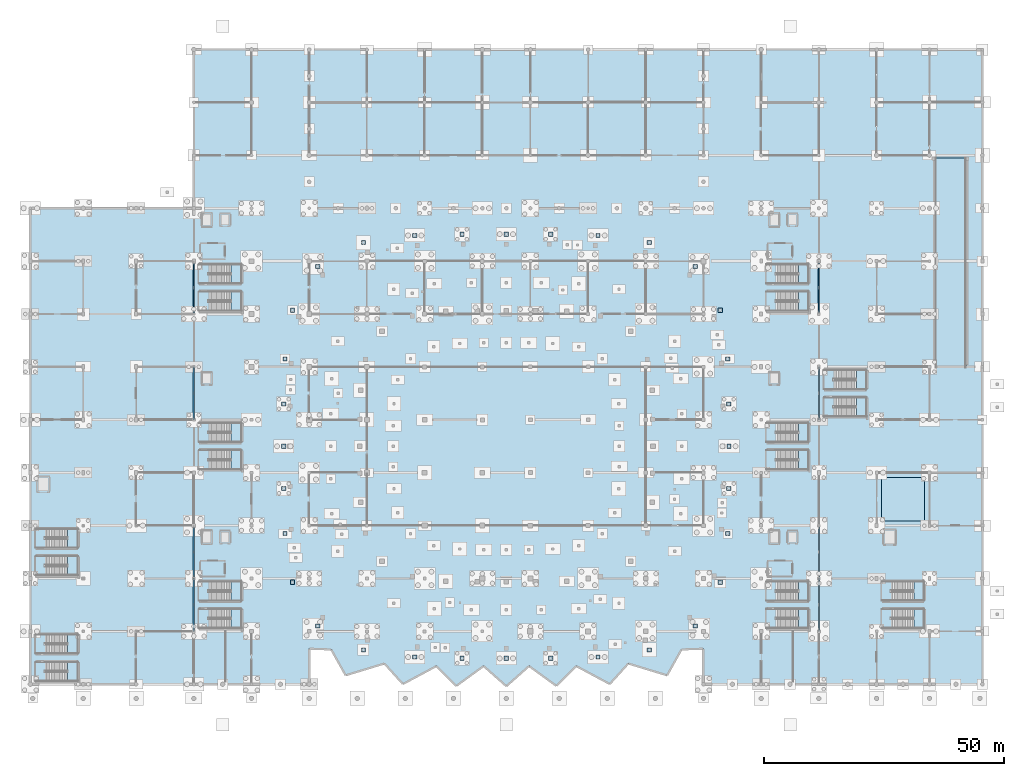
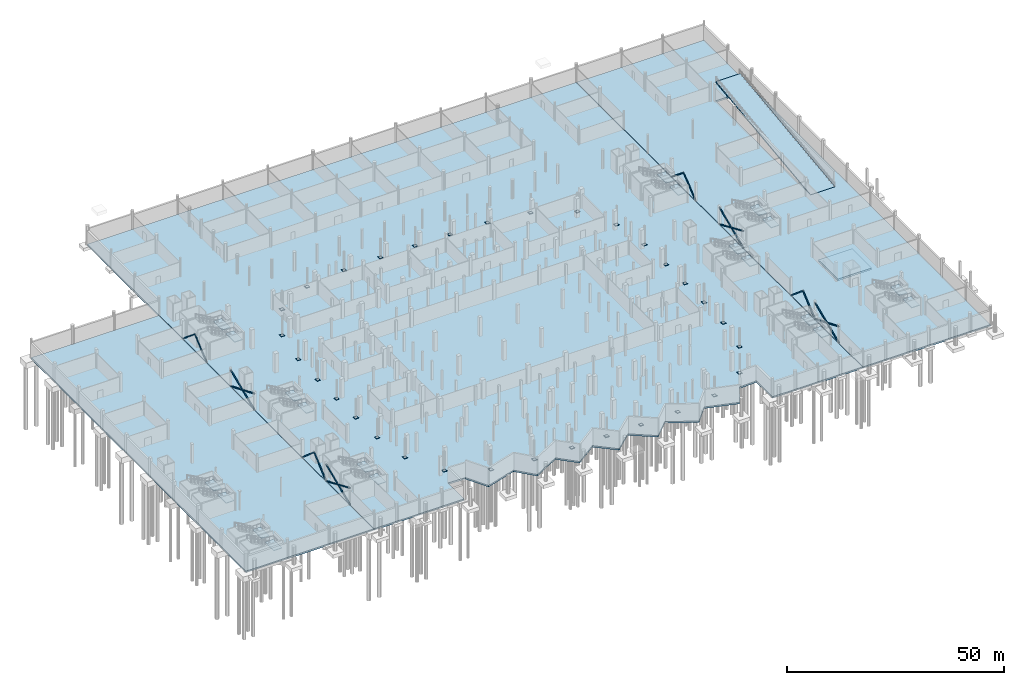
# One storey, part 24 of 60: 32 plates, 25 slabs, 20 members, 20 elements without a shape of their own.
"""IFC4 building model written with IfcOpenShell, lengths in metres."""

import ifcopenshell
import ifcopenshell.guid

model = None  # the IFC model being written
_history = None  # IfcOwnerHistory: only IFC2X3 demands one
_inside = {}  # id of a spatial element -> (the spatial element, [elements in it])
_under = {}  # id of a project, library or spatial element -> (it, [spatial elements below it])
_declared = {}  # id of a project -> (the project, [libraries it declares])
_typed = {}  # id of a type object -> (the type object, [elements of that type])
_made_of = {}  # id of a material, layer set ... -> (it, [elements and type objects made of it])


def new_model(schema):
    """Start an empty IFC model of exactly this schema.

    Asked for "IFC4X3", IfcOpenShell would pick the latest addendum, in which some entities
    have other attributes; the version numbers below select the first issue.
    IFC2X3 requires an IfcOwnerHistory on every rooted entity: one is made here for all.
    """
    global model, _history
    if schema == "IFC4X3":
        model = ifcopenshell.file(schema_version=(4, 3, 0, 0))
    else:
        model = ifcopenshell.file(schema=schema)
    _inside.clear()
    _under.clear()
    _declared.clear()
    _typed.clear()
    _made_of.clear()
    _history = None
    if model.schema == "IFC2X3":
        org = make("IfcOrganization", Name="unknown")
        user = make(
            "IfcPersonAndOrganization",
            ThePerson=make("IfcPerson", FamilyName="unknown"),
            TheOrganization=org,
        )
        app = make(
            "IfcApplication",
            ApplicationDeveloper=org,
            Version="unknown",
            ApplicationFullName="unknown",
            ApplicationIdentifier="unknown",
        )
        _history = make(
            "IfcOwnerHistory",
            OwningUser=user,
            OwningApplication=app,
            ChangeAction="ADDED",
            CreationDate=0,
        )
    return model


def make(cls, **values):
    """One entity of the class cls with the attributes given. An attribute that is None is left unset."""
    return model.create_entity(
        cls, **{name: value for name, value in values.items() if value is not None}
    )


def rooted(cls, **values):
    """An entity with a GlobalId (a new one), such as an element, a storey or a relation."""
    return make(cls, GlobalId=ifcopenshell.guid.new(), OwnerHistory=_history, **values)


def si_unit(unit_type, name, prefix=None):
    """IfcSIUnit, for example si_unit("LENGTHUNIT", "METRE", prefix="MILLI")."""
    return make("IfcSIUnit", UnitType=unit_type, Prefix=prefix, Name=name)


def assignment(units):
    """IfcUnitAssignment: the units of a project."""
    return None if units is None else make("IfcUnitAssignment", Units=units)


def point(xyz):
    """IfcCartesianPoint."""
    return None if xyz is None else make("IfcCartesianPoint", Coordinates=xyz)


def direction(xyz):
    """IfcDirection."""
    return None if xyz is None else make("IfcDirection", DirectionRatios=xyz)


def frame(location, z_axis=None, x_axis=None):
    """IfcAxis2Placement3D, a coordinate frame: its origin and axes. An axis left out is left unset."""
    return make(
        "IfcAxis2Placement3D",
        Location=point(location),
        Axis=direction(z_axis),
        RefDirection=direction(x_axis),
    )


def frame_2d(location, x_axis=None):
    """IfcAxis2Placement2D, a coordinate frame in the plane: its origin and x axis."""
    return make(
        "IfcAxis2Placement2D", Location=point(location), RefDirection=direction(x_axis)
    )


def origin():
    """The frame at (0, 0, 0) with its axes left unset."""
    return frame((0.0, 0.0, 0.0))


def origin_2d():
    """The frame at (0, 0) in the plane with its x axis left unset."""
    return frame_2d((0.0, 0.0))


def place(relative_to, where):
    """IfcLocalPlacement: puts the frame where relative to a parent placement (None: the world)."""
    return make(
        "IfcLocalPlacement", PlacementRelTo=relative_to, RelativePlacement=where
    )


def context(
    kind, dimensions, precision=None, world=None, true_north=None, identifier=None
):
    """IfcGeometricRepresentationContext, for example the 3D "Model" context."""
    return make(
        "IfcGeometricRepresentationContext",
        ContextIdentifier=identifier,
        ContextType=kind,
        CoordinateSpaceDimension=dimensions,
        Precision=precision,
        WorldCoordinateSystem=world,
        TrueNorth=true_north,
    )


def subcontext(parent, identifier, kind, view, scale=None):
    """IfcGeometricRepresentationSubContext, for example "Body" below "Model"."""
    return make(
        "IfcGeometricRepresentationSubContext",
        ContextIdentifier=identifier,
        ContextType=kind,
        ParentContext=parent,
        TargetScale=scale,
        TargetView=view,
    )


def project(units=None, contexts=None):
    """IfcProject with its units and contexts."""
    return rooted(
        "IfcProject",
        Name="project",
        RepresentationContexts=contexts,
        UnitsInContext=assignment(units),
    )


def spatial(cls, under=None, at=None, **own):
    """A site, building, storey or space (cls), placed at a placement, below another one or the project."""
    s = rooted(cls, ObjectPlacement=at, **own)
    if under is not None:
        _under.setdefault(under.id(), (under, []))[1].append(s)
    return s


def polyline(points):
    """IfcPolyline through the points."""
    return make("IfcPolyline", Points=[point(p) for p in points])


def profile(cls, at=None, kind="AREA", **sizes):
    """A parametric profile (cls). Its sizes go by their IFC names, for example OverallWidth=200.0."""
    return make(cls, ProfileType=kind, Position=at, **sizes)


def rectangle(**sizes):
    """IfcRectangleProfileDef."""
    return profile("IfcRectangleProfileDef", **sizes)


def hollow_rectangle(**sizes):
    """IfcRectangleHollowProfileDef."""
    return profile("IfcRectangleHollowProfileDef", **sizes)


def hollow_circle(**sizes):
    """IfcCircleHollowProfileDef."""
    return profile("IfcCircleHollowProfileDef", **sizes)


def outline(outer, holes=None, kind="AREA"):
    """IfcArbitraryClosedProfileDef: a profile drawn as a closed curve; with holes, ...WithVoids."""
    if holes is None:
        return make("IfcArbitraryClosedProfileDef", ProfileType=kind, OuterCurve=outer)
    return make(
        "IfcArbitraryProfileDefWithVoids",
        ProfileType=kind,
        OuterCurve=outer,
        InnerCurves=holes,
    )


def extrude(swept, where, along, depth):
    """IfcExtrudedAreaSolid: the profile swept, set in the frame where, extruded along a direction by depth."""
    return make(
        "IfcExtrudedAreaSolid",
        SweptArea=swept,
        Position=where,
        ExtrudedDirection=direction(along),
        Depth=depth,
    )


def shape(context_of_items, identifier, shape_type, items):
    """IfcShapeRepresentation: the items that make up one representation, for example the "Body"."""
    return make(
        "IfcShapeRepresentation",
        ContextOfItems=context_of_items,
        RepresentationIdentifier=identifier,
        RepresentationType=shape_type,
        Items=items,
    )


def material(Name=None, Category=None):
    """IfcMaterial."""
    return make("IfcMaterial", Name=Name, Category=Category)


def layer(
    of_material, thickness, ventilated=None, Name=None, Category=None, Priority=None
):
    """IfcMaterialLayer: one layer of a wall or slab, of a material (None: an air gap)."""
    return make(
        "IfcMaterialLayer",
        Material=of_material,
        LayerThickness=thickness,
        IsVentilated=ventilated,
        Name=Name,
        Category=Category,
        Priority=Priority,
    )


def layer_set(layers, Name=None):
    """IfcMaterialLayerSet."""
    return make("IfcMaterialLayerSet", MaterialLayers=layers, LayerSetName=Name)


def material_profile(
    of_material, cross_section, Name=None, Category=None, Priority=None
):
    """IfcMaterialProfile: a cross section and its material."""
    return make(
        "IfcMaterialProfile",
        Name=Name,
        Material=of_material,
        Profile=cross_section,
        Priority=Priority,
        Category=Category,
    )


def profile_set(profiles, Name=None, composite=None):
    """IfcMaterialProfileSet."""
    return make(
        "IfcMaterialProfileSet",
        Name=Name,
        MaterialProfiles=profiles,
        CompositeProfile=composite,
    )


def made_of(thing, what):
    """Note that an element or type object is made of a material, layer set ...; save() writes the relation."""
    if what is not None:
        _made_of.setdefault(what.id(), (what, []))[1].append(thing)
    return thing


def type_object(cls, material=None, **own):
    """A type object (cls), such as IfcWallType, which elements share."""
    return made_of(rooted(cls, **own), material)


def element(
    cls,
    number,
    at=None,
    inside=None,
    cuts=None,
    type_object=None,
    material=None,
    context=None,
    identifier="Body",
    shape_type=None,
    held_by="IfcProductDefinitionShape",
    body=None,
    shapes=None,
    **own,
):
    """One element of the class cls, such as IfcWall. Its Tag is "e" and its number.

    at: its placement. inside: the storey or other place that contains it. cuts: it is an
    opening in that element (IfcRelVoidsElement). A single representation is given by context,
    identifier, shape_type and body (its items); several are given by shapes. held_by: the class
    of the entity that holds the representations. save() writes the other relations.
    """
    e = rooted(cls, Tag="e%d" % number, ObjectPlacement=at, **own)
    if body is not None:
        shapes = [shape(context, identifier, shape_type, body)]
    if shapes is not None:
        e.Representation = make(held_by, Representations=shapes)
    if inside is not None:
        _inside.setdefault(inside.id(), (inside, []))[1].append(e)
    if cuts is not None:
        rooted(
            "IfcRelVoidsElement", RelatingBuildingElement=cuts, RelatedOpeningElement=e
        )
    if type_object is not None:
        _typed.setdefault(type_object.id(), (type_object, []))[1].append(e)
    return made_of(e, material)


def aggregate(whole, parts):
    """IfcRelAggregates: a whole, such as a stair, and the parts it consists of."""
    return rooted("IfcRelAggregates", RelatingObject=whole, RelatedObjects=parts)


def save(model, path):
    """Write the relations noted so far, then the file.

    IfcRelAggregates (storeys below a building ...), IfcRelContainedInSpatialStructure (elements
    in a storey), IfcRelDefinesByType, IfcRelAssociatesMaterial and IfcRelDeclares: one each for
    every whole, place, type object, material and project.
    """
    for whole, parts in _under.values():
        aggregate(whole, parts)
    for where, things in _inside.values():
        rooted(
            "IfcRelContainedInSpatialStructure",
            RelatedElements=things,
            RelatingStructure=where,
        )
    for kind, things in _typed.values():
        rooted("IfcRelDefinesByType", RelatedObjects=things, RelatingType=kind)
    for what, things in _made_of.values():
        rooted("IfcRelAssociatesMaterial", RelatedObjects=things, RelatingMaterial=what)
    for by, libraries in _declared.values():
        rooted("IfcRelDeclares", RelatingContext=by, RelatedDefinitions=libraries)
    model.write(path)


model = new_model("IFC4")

# Units and contexts
model_context = context("Model", 3, precision=1e-05, world=origin(), true_north=direction((0.0, 1.0)))
body_context = subcontext(model_context, "Body", "Model", "MODEL_VIEW")
ifc_project = project(units=[si_unit("LENGTHUNIT", "METRE"), si_unit("AREAUNIT", "SQUARE_METRE"), si_unit("VOLUMEUNIT", "CUBIC_METRE"), si_unit("PLANEANGLEUNIT", "RADIAN"), si_unit("MASSUNIT", "GRAM", prefix="KILO")], contexts=[model_context])

# Site, building, storey
site_placement = place(None, origin())
site = spatial("IfcSite", under=ifc_project, at=site_placement, CompositionType="ELEMENT")
building_placement = place(site_placement, origin())
building = spatial("IfcBuilding", under=site, at=building_placement, Name="Luwafu Chhajja Arena", CompositionType="ELEMENT")
storey_placement = place(building_placement, frame((0.0, 0.0, -5.39990234375)))
storey = spatial("IfcBuildingStorey", under=building, at=storey_placement, Name="B1", CompositionType="ELEMENT", Elevation=-5.39990234375)

# Members
ifc_material_1 = material(Name="Steel S355", Category="steel")
ifc_material_profile_1 = material_profile(ifc_material_1, hollow_circle(Radius=0.084228515625, WallThickness=0.008056640625, at=origin_2d()), Name="CHS 168.3x8")
ifc_profile_set_1 = profile_set([ifc_material_profile_1], Name="Steel S355")
member_type_1 = type_object("IfcMemberType", Name="Canopy Hanger Brace CHS 168", PredefinedType="BRACE", material=ifc_profile_set_1)
for number, where, z_axis, x_axis, name in (
    (1, (34.0, 77.0, 0.119873046875), (0.0, 0.768444909154, 0.639915948852), (-1.0, 0.0, 0.0), "B1 Lateral Chevron Brace 11A"),
    (2, (34.0, 88.0, 0.119873046875), (0.0, -0.768444909154, 0.639915948852), (1.0, 0.0, 0.0), "B1 Lateral Chevron Brace 11B"),
):
    element("IfcMember", number, at=place(storey_placement, frame(where, z_axis=z_axis, x_axis=x_axis)), inside=storey, type_object=member_type_1, Name=name, PredefinedType="BRACE", context=body_context, shape_type="SweptSolid", body=[
        extrude(hollow_circle(Radius=0.084228515625, WallThickness=0.008056640625, at=origin_2d()), origin(), (0.0, 0.0, 1.0), 7.1572265625),
    ])
for number, where, z_axis, x_axis, name in (
    (3, (164.0, 77.0, 0.119873046875), (0.0, 0.777058479873, 0.629428406459), (-1.0, 0.0, 0.0), "B1 Lateral Chevron Brace 15A"),
    (4, (164.0, 88.0, 0.119873046875), (0.0, -0.777058479873, 0.629428406459), (1.0, 0.0, 0.0), "B1 Lateral Chevron Brace 15B"),
):
    element("IfcMember", number, at=place(storey_placement, frame(where, z_axis=z_axis, x_axis=x_axis)), inside=storey, type_object=member_type_1, Name=name, PredefinedType="BRACE", context=body_context, shape_type="SweptSolid", body=[
        extrude(hollow_circle(Radius=0.084228515625, WallThickness=0.008056640625, at=origin_2d()), origin(), (0.0, 0.0, 1.0), 7.077880859375),
    ])
ifc_material_profile_2 = material_profile(ifc_material_1, hollow_rectangle(XDim=0.25, YDim=0.25, WallThickness=0.011962890625, at=origin_2d()), Name="SHS 250x250x12")
ifc_profile_set_2 = profile_set([ifc_material_profile_2], Name="Steel S355")
member_type_2 = type_object("IfcMemberType", Name="Core Frame Brace SHS 250", PredefinedType="BRACE", material=ifc_profile_set_2)
for number, where, z_axis, x_axis, name in (
    (5, (34.0, 22.0, 0.119873046875), (0.0, 0.758186527354, 0.652037721101), (-1.0, 0.0, 0.0), "B1 Lateral Chevron Brace 01A"),
    (6, (34.0, 33.0, 0.119873046875), (0.0, -0.758186527354, 0.652037721101), (1.0, 0.0, 0.0), "B1 Lateral Chevron Brace 01B"),
):
    element("IfcMember", number, at=place(storey_placement, frame(where, z_axis=z_axis, x_axis=x_axis)), inside=storey, type_object=member_type_2, Name=name, PredefinedType="BRACE", context=body_context, shape_type="SweptSolid", body=[
        extrude(hollow_rectangle(XDim=0.25, YDim=0.25, WallThickness=0.011962890625, at=origin_2d()), origin(), (0.0, 0.0, 1.0), 7.254150390625),
    ])
for number, where, z_axis, x_axis, name in (
    (7, (164.0, 22.0, 0.119873046875), (0.0, 0.765429027855, 0.643520320826), (-1.0, 0.0, 0.0), "B1 Lateral Chevron Brace 06A"),
    (8, (164.0, 33.0, 0.119873046875), (0.0, -0.765429027855, 0.643520320826), (1.0, 0.0, 0.0), "B1 Lateral Chevron Brace 06B"),
):
    element("IfcMember", number, at=place(storey_placement, frame(where, z_axis=z_axis, x_axis=x_axis)), inside=storey, type_object=member_type_2, Name=name, PredefinedType="BRACE", context=body_context, shape_type="SweptSolid", body=[
        extrude(hollow_rectangle(XDim=0.25, YDim=0.25, WallThickness=0.011962890625, at=origin_2d()), origin(), (0.0, 0.0, 1.0), 7.185546875),
    ])
member_1_placement = place(storey_placement, frame((34.0, 55.0, 0.119873046875), z_axis=(0.0, 0.924659821494, 0.380794189183), x_axis=(-1.0, 0.0, 0.0)))
element("IfcMember", 9, at=member_1_placement, inside=storey, type_object=member_type_2, Name="B1 X-Brace Continuous Diagonal 01A", PredefinedType="BRACE", context=body_context, shape_type="SweptSolid", body=[
    extrude(hollow_rectangle(XDim=0.25, YDim=0.25, WallThickness=0.011962890625, at=origin_2d()), origin(), (0.0, 0.0, 1.0), 11.896240234375),
])
for number, where, z_axis, x_axis, name in (
    (10, (34.0, 55.0, 4.64990234375), (0.0, 0.924665900066, -0.380779428614), (-1.0, 0.0, 0.0), "B1 X-Brace Split Upper Half 01B1"),
    (11, (34.0, 60.634033203125, 2.32958984375), (0.0, 0.924665900066, -0.380779428614), (-1.0, 0.0, 0.0), "B1 X-Brace Split Lower Half 01B2"),
):
    element("IfcMember", number, at=place(storey_placement, frame(where, z_axis=z_axis, x_axis=x_axis)), inside=storey, type_object=member_type_2, Name=name, PredefinedType="BRACE", context=body_context, shape_type="SweptSolid", body=[
        extrude(hollow_rectangle(XDim=0.25, YDim=0.25, WallThickness=0.011962890625, at=origin_2d()), origin(), (0.0, 0.0, 1.0), 5.80322265625),
    ])
member_2_placement = place(storey_placement, frame((164.0, 55.0, 0.119873046875), z_axis=(0.0, 0.918669779527, 0.395026374036), x_axis=(-1.0, 0.0, 0.0)))
element("IfcMember", 12, at=member_2_placement, inside=storey, type_object=member_type_2, Name="B1 X-Brace Continuous Diagonal 02A", PredefinedType="BRACE", context=body_context, shape_type="SweptSolid", body=[
    extrude(hollow_rectangle(XDim=0.25, YDim=0.25, WallThickness=0.011962890625, at=origin_2d()), origin(), (0.0, 0.0, 1.0), 11.973876953125),
])
for number, where, z_axis, x_axis, name in (
    (13, (164.0, 55.0, 4.849853515625), (0.0, 0.918673130781, -0.395018580299), (-1.0, 0.0, 0.0), "B1 X-Brace Split Upper Half 02B1"),
    (14, (164.0, 60.63330078125, 2.427490234375), (0.0, 0.918673130781, -0.395018580299), (-1.0, 0.0, 0.0), "B1 X-Brace Split Lower Half 02B2"),
):
    element("IfcMember", number, at=place(storey_placement, frame(where, z_axis=z_axis, x_axis=x_axis)), inside=storey, type_object=member_type_2, Name=name, PredefinedType="BRACE", context=body_context, shape_type="SweptSolid", body=[
        extrude(hollow_rectangle(XDim=0.25, YDim=0.25, WallThickness=0.011962890625, at=origin_2d()), origin(), (0.0, 0.0, 1.0), 5.841796875),
    ])
member_3_placement = place(storey_placement, frame((34.0, 11.0, 0.119873046875), z_axis=(0.0, 0.920182344212, 0.391490042529), x_axis=(-1.0, 0.0, 0.0)))
element("IfcMember", 15, at=member_3_placement, inside=storey, type_object=member_type_2, Name="B1 X-Brace Continuous Diagonal 03A", PredefinedType="BRACE", context=body_context, shape_type="SweptSolid", body=[
    extrude(hollow_rectangle(XDim=0.25, YDim=0.25, WallThickness=0.011962890625, at=origin_2d()), origin(), (0.0, 0.0, 1.0), 11.9541015625),
])
for number, where, z_axis, x_axis, name in (
    (16, (34.0, 11.0, 4.7998046875), (0.0, 0.92018543878, -0.391482768787), (-1.0, 0.0, 0.0), "B1 X-Brace Split Upper Half 03B1"),
    (17, (34.0, 16.63330078125, 2.403076171875), (0.0, 0.92018543878, -0.391482768787), (-1.0, 0.0, 0.0), "B1 X-Brace Split Lower Half 03B2"),
):
    element("IfcMember", number, at=place(storey_placement, frame(where, z_axis=z_axis, x_axis=x_axis)), inside=storey, type_object=member_type_2, Name=name, PredefinedType="BRACE", context=body_context, shape_type="SweptSolid", body=[
        extrude(hollow_rectangle(XDim=0.25, YDim=0.25, WallThickness=0.011962890625, at=origin_2d()), origin(), (0.0, 0.0, 1.0), 5.832275390625),
    ])
member_4_placement = place(storey_placement, frame((164.0, 11.0, 0.119873046875), z_axis=(0.0, 0.921985904563, 0.387223439099), x_axis=(-1.0, 0.0, 0.0)))
element("IfcMember", 18, at=member_4_placement, inside=storey, type_object=member_type_2, Name="B1 X-Brace Continuous Diagonal 04A", PredefinedType="BRACE", context=body_context, shape_type="SweptSolid", body=[
    extrude(hollow_rectangle(XDim=0.25, YDim=0.25, WallThickness=0.011962890625, at=origin_2d()), origin(), (0.0, 0.0, 1.0), 11.9306640625),
])
for number, where, z_axis, x_axis, name in (
    (19, (164.0, 11.0, 4.73974609375), (0.0, 0.921976115229, -0.387246746851), (-1.0, 0.0, 0.0), "B1 X-Brace Split Upper Half 04B1"),
    (20, (164.0, 16.6337890625, 2.373779296875), (0.0, 0.921976115229, -0.387246746851), (-1.0, 0.0, 0.0), "B1 X-Brace Split Lower Half 04B2"),
):
    element("IfcMember", number, at=place(storey_placement, frame(where, z_axis=z_axis, x_axis=x_axis)), inside=storey, type_object=member_type_2, Name=name, PredefinedType="BRACE", context=body_context, shape_type="SweptSolid", body=[
        extrude(hollow_rectangle(XDim=0.25, YDim=0.25, WallThickness=0.011962890625, at=origin_2d()), origin(), (0.0, 0.0, 1.0), 5.8203125),
    ])

# Slabs
ifc_material_2 = material(Name="Concrete C35/45", Category="concrete")
ifc_layer_1 = layer(ifc_material_2, 0.449951171875, Name="Concrete C35/45")
ifc_layer_set_1 = layer_set([ifc_layer_1], Name="Concrete C35/45")
slab_type_1 = type_object("IfcSlabType", Name="Basement Event Base Slab 450", PredefinedType="BASESLAB", material=ifc_layer_set_1)
slab_1_placement = place(storey_placement, frame((0.0, 0.0, -0.4501953125)))
element("IfcSlab", 21, at=slab_1_placement, inside=storey, type_object=slab_type_1, Name="B1 Structural Floor Slab 1", PredefinedType="BASESLAB", context=body_context, shape_type="SweptSolid", body=[
    extrude(outline(polyline([(120.510986328125, 0.051025390625), (113.56689453125, 3.77587890625), (109.412109375, -0.343017578125), (103.72802734375, 3.7900390625), (99.0, -0.39990234375), (94.27197265625, 3.7900390625), (88.587890625, -0.343017578125), (84.43310546875, 3.77587890625), (77.489013671875, 0.051025390625), (73.635986328125, 4.31591796875), (65.572998046875, 1.864013671875), (62.573974609375, 7.237060546875), (58.0, 7.407958984375), (58.0, 0.0), (34.050048828125, 0.0), (34.050048828125, 99.050048828125), (34.0, 99.050048828125), (34.0, 132.0), (163.949951171875, 132.0), (163.949951171875, 0.0), (140.0, 0.0), (140.0, 7.407958984375), (135.426025390625, 7.237060546875), (132.427978515625, 1.864013671875), (124.364013671875, 4.31591796875), (120.510986328125, 0.051025390625)])), origin(), (0.0, 0.0, 1.0), 0.4501953125),
])
slab_2_placement = place(storey_placement, frame((0.0, 0.0, -0.4501953125)))
element("IfcSlab", 22, at=slab_2_placement, inside=storey, type_object=slab_type_1, Name="B1 Structural Floor Slab 2", PredefinedType="BASESLAB", context=body_context, shape_type="SweptSolid", body=[
    extrude(outline(polyline([(198.0, 0.0), (164.050048828125, 0.0), (164.050048828125, 132.0), (198.0, 132.0), (198.0, 0.0)]), holes=[polyline([(194.659912109375, 109.4599609375), (188.139892578125, 109.4599609375), (188.139892578125, 65.840087890625), (194.659912109375, 65.840087890625), (194.659912109375, 109.4599609375)])]), origin(), (0.0, 0.0, 1.0), 0.4501953125),
])
slab_3_placement = place(storey_placement, frame((0.0, 0.0, -0.4501953125)))
element("IfcSlab", 23, at=slab_3_placement, inside=storey, type_object=slab_type_1, Name="B1 Structural Floor Slab 3", PredefinedType="BASESLAB", context=body_context, shape_type="SweptSolid", body=[
    extrude(outline(polyline([(0.0, 99.0), (33.949951171875, 99.0), (33.949951171875, 0.0), (0.0, 0.0), (0.0, 99.0)])), origin(), (0.0, 0.0, 1.0), 0.4501953125),
])

# Plates
ifc_layer_2 = layer(ifc_material_1, 0.035888671875, Name="Steel S355")
ifc_layer_set_2 = layer_set([ifc_layer_2], Name="Steel S355")
plate_type = type_object("IfcPlateType", Name="Drum Steel Column Base Plate BP-1", PredefinedType="USERDEFINED", material=ifc_layer_set_2)
for number, where, z_axis, x_axis, name in (
    (24, (145.300048828125, 49.5, 0.0), (0.0, 0.0, 1.0), (1.0, 0.0, 0.0), "Drum Column Base Plate BP-1 01"),
    (25, (145.28759765625, 58.269775390625, 0.0), (0.0, 0.0, 1.0), (1.0, 0.0, 0.0), "Drum Column Base Plate BP-1 02"),
    (26, (145.031982421875, 67.6611328125, 0.0), (0.0, 0.0, 1.0), (1.0, 0.0, 0.0), "Drum Column Base Plate BP-1 03"),
    (27, (143.47607421875, 77.805908203125, 0.0), (0.0, 0.0, 1.0), (1.0, 0.0, 0.0), "Drum Column Base Plate BP-1 04"),
    (28, (138.256103515625, 86.890869140625, 0.0), (0.0, 0.0, 1.0), (1.0, 0.0, 0.0), "Drum Column Base Plate BP-1 05"),
    (29, (128.718017578125, 91.86279296875, 0.0), (0.0, 0.0, 1.0), (1.0, 0.0, 0.0), "Drum Column Base Plate BP-1 06"),
    (30, (118.067138671875, 93.3447265625, 0.0), (0.0, 0.0, 1.0), (1.0, 0.0, 0.0), "Drum Column Base Plate BP-1 07"),
    (31, (108.207275390625, 93.588134765625, 0.0), (0.0, 0.0, 1.0), (1.0, 0.0, 0.0), "Drum Column Base Plate BP-1 08"),
    (32, (99.0, 93.60009765625, 0.0), (0.0, 0.0, 1.0), (1.0, 0.0, 0.0), "Drum Column Base Plate BP-1 09"),
    (33, (89.792724609375, 93.588134765625, 0.0), (0.0, 0.0, 1.0), (1.0, 0.0, 0.0), "Drum Column Base Plate BP-1 10"),
    (34, (79.932861328125, 93.3447265625, 0.0), (0.0, 0.0, 1.0), (1.0, 0.0, 0.0), "Drum Column Base Plate BP-1 11"),
    (35, (69.281982421875, 91.86279296875, 0.0), (0.0, 0.0, 1.0), (1.0, 0.0, 0.0), "Drum Column Base Plate BP-1 12"),
    (36, (59.743896484375, 86.890869140625, 0.0), (0.0, 0.0, 1.0), (1.0, 0.0, 0.0), "Drum Column Base Plate BP-1 13"),
    (37, (54.52392578125, 77.805908203125, 0.0), (0.0, 0.0, 1.0), (1.0, 0.0, 0.0), "Drum Column Base Plate BP-1 14"),
    (38, (52.968017578125, 67.6611328125, 0.0), (0.0, 0.0, 1.0), (1.0, 0.0, 0.0), "Drum Column Base Plate BP-1 15"),
    (39, (52.71240234375, 58.269775390625, 0.0), (0.0, 0.0, 1.0), (1.0, 0.0, 0.0), "Drum Column Base Plate BP-1 16"),
    (40, (52.699951171875, 49.5, 0.0), (0.0, 0.0, 1.0), (1.0, 0.0, 0.0), "Drum Column Base Plate BP-1 17"),
    (41, (52.71240234375, 40.730224609375, 0.0), (0.0, 0.0, 1.0), (1.0, 0.0, 0.0), "Drum Column Base Plate BP-1 18"),
    (42, (52.968017578125, 31.3388671875, 0.0), (0.0, 0.0, 1.0), (1.0, 0.0, 0.0), "Drum Column Base Plate BP-1 19"),
    (43, (54.52392578125, 21.194091796875, 0.0), (0.0, 0.0, 1.0), (1.0, 0.0, 0.0), "Drum Column Base Plate BP-1 20"),
    (44, (59.743896484375, 12.109130859375, 0.0), (0.0, 0.0, 1.0), (1.0, 0.0, 0.0), "Drum Column Base Plate BP-1 21"),
    (45, (69.281982421875, 7.13720703125, 0.0), (0.0, 0.0, 1.0), (1.0, 0.0, 0.0), "Drum Column Base Plate BP-1 22"),
    (46, (79.932861328125, 5.6552734375, 0.0), (0.0, 0.0, 1.0), (1.0, 0.0, 0.0), "Drum Column Base Plate BP-1 23"),
    (47, (89.792724609375, 5.411865234375, 0.0), (0.0, 0.0, 1.0), (1.0, 0.0, 0.0), "Drum Column Base Plate BP-1 24"),
    (48, (99.0, 5.39990234375, 0.0), (0.0, 0.0, 1.0), (1.0, 0.0, 0.0), "Drum Column Base Plate BP-1 25"),
    (49, (108.207275390625, 5.411865234375, 0.0), (0.0, 0.0, 1.0), (1.0, 0.0, 0.0), "Drum Column Base Plate BP-1 26"),
    (50, (118.067138671875, 5.6552734375, 0.0), (0.0, 0.0, 1.0), (1.0, 0.0, 0.0), "Drum Column Base Plate BP-1 27"),
    (51, (128.718017578125, 7.13720703125, 0.0), (0.0, 0.0, 1.0), (1.0, 0.0, 0.0), "Drum Column Base Plate BP-1 28"),
    (52, (138.256103515625, 12.109130859375, 0.0), (0.0, 0.0, 1.0), (1.0, 0.0, 0.0), "Drum Column Base Plate BP-1 29"),
    (53, (143.47607421875, 21.194091796875, 0.0), (0.0, 0.0, 1.0), (1.0, 0.0, 0.0), "Drum Column Base Plate BP-1 30"),
    (54, (145.031982421875, 31.3388671875, 0.0), (0.0, 0.0, 1.0), (1.0, 0.0, 0.0), "Drum Column Base Plate BP-1 31"),
    (55, (145.28759765625, 40.730224609375, 0.0), (0.0, 0.0, 1.0), (1.0, 0.0, 0.0), "Drum Column Base Plate BP-1 32"),
):
    element("IfcPlate", number, at=place(storey_placement, frame(where, z_axis=z_axis, x_axis=x_axis)), inside=storey, type_object=plate_type, Name=name, ObjectType="BASE PLATE", PredefinedType="USERDEFINED", context=body_context, shape_type="SweptSolid", body=[
        extrude(rectangle(XDim=0.89990234375, YDim=0.89990234375, at=origin_2d()), origin(), (0.0, 0.0, 1.0), 0.035888671875),
    ])

# Stair, slab
stair_type_1 = type_object("IfcStairType", Name="Quadrant Protected Dog-Leg Stair 1920", PredefinedType="HALF_TURN_STAIR", material=ifc_material_2)
stair_1_placement = place(storey_placement, origin())
stair_1 = element("IfcStair", 56, at=stair_1_placement, inside=storey, type_object=stair_type_1, Name="B1 Protected Escape Stair ST-01", PredefinedType="HALF_TURN_STAIR")
ifc_layer_3 = layer(ifc_material_2, 0.199951171875, Name="Concrete C35/45")
ifc_layer_set_3 = layer_set([ifc_layer_3], Name="Concrete C35/45")
slab_type_2 = type_object("IfcSlabType", Name="Escape Stair Landing Slab 200", PredefinedType="LANDING", material=ifc_layer_set_3)
slab_4_placement = place(storey_placement, frame((0.0, 0.0, 2.5)))
slab_4 = element("IfcSlab", 57, at=slab_4_placement, type_object=slab_type_2, Name="ST-01 landing 1", PredefinedType="LANDING", context=body_context, shape_type="SweptSolid", body=[
    extrude(outline(polyline([(41.780029296875, 11.64990234375), (43.89990234375, 11.64990234375), (43.89990234375, 15.68994140625), (41.780029296875, 15.68994140625), (41.780029296875, 11.64990234375)])), origin(), (0.0, 0.0, 1.0), 0.199951171875),
])
aggregate(stair_1, [slab_4])

stair_2_placement = place(storey_placement, origin())
stair_2 = element("IfcStair", 58, at=stair_2_placement, inside=storey, type_object=stair_type_1, Name="B1 Protected Escape Stair ST-02", PredefinedType="HALF_TURN_STAIR")
slab_5_placement = place(storey_placement, frame((0.0, 0.0, 2.5)))
slab_5 = element("IfcSlab", 59, at=slab_5_placement, type_object=slab_type_2, Name="ST-02 landing 1", PredefinedType="LANDING", context=body_context, shape_type="SweptSolid", body=[
    extrude(outline(polyline([(41.780029296875, 17.31005859375), (43.89990234375, 17.31005859375), (43.89990234375, 21.35009765625), (41.780029296875, 21.35009765625), (41.780029296875, 17.31005859375)])), origin(), (0.0, 0.0, 1.0), 0.199951171875),
])
aggregate(stair_2, [slab_5])

stair_3_placement = place(storey_placement, origin())
stair_3 = element("IfcStair", 60, at=stair_3_placement, inside=storey, type_object=stair_type_1, Name="B1 Protected Escape Stair ST-03", PredefinedType="HALF_TURN_STAIR")
slab_6_placement = place(storey_placement, frame((0.0, 0.0, 2.5)))
slab_6 = element("IfcSlab", 61, at=slab_6_placement, type_object=slab_type_2, Name="ST-03 landing 1", PredefinedType="LANDING", context=body_context, shape_type="SweptSolid", body=[
    extrude(outline(polyline([(159.780029296875, 11.64990234375), (161.89990234375, 11.64990234375), (161.89990234375, 15.68994140625), (159.780029296875, 15.68994140625), (159.780029296875, 11.64990234375)])), origin(), (0.0, 0.0, 1.0), 0.199951171875),
])
aggregate(stair_3, [slab_6])

stair_4_placement = place(storey_placement, origin())
stair_4 = element("IfcStair", 62, at=stair_4_placement, inside=storey, type_object=stair_type_1, Name="B1 Protected Escape Stair ST-04", PredefinedType="HALF_TURN_STAIR")
slab_7_placement = place(storey_placement, frame((0.0, 0.0, 2.5)))
slab_7 = element("IfcSlab", 63, at=slab_7_placement, type_object=slab_type_2, Name="ST-04 landing 1", PredefinedType="LANDING", context=body_context, shape_type="SweptSolid", body=[
    extrude(outline(polyline([(159.780029296875, 17.31005859375), (161.89990234375, 17.31005859375), (161.89990234375, 21.35009765625), (159.780029296875, 21.35009765625), (159.780029296875, 17.31005859375)])), origin(), (0.0, 0.0, 1.0), 0.199951171875),
])
aggregate(stair_4, [slab_7])

stair_5_placement = place(storey_placement, origin())
stair_5 = element("IfcStair", 64, at=stair_5_placement, inside=storey, type_object=stair_type_1, Name="B1 Protected Escape Stair ST-05", PredefinedType="HALF_TURN_STAIR")
slab_8_placement = place(storey_placement, frame((0.0, 0.0, 2.5)))
slab_8 = element("IfcSlab", 65, at=slab_8_placement, type_object=slab_type_2, Name="ST-05 landing 1", PredefinedType="LANDING", context=body_context, shape_type="SweptSolid", body=[
    extrude(outline(polyline([(41.780029296875, 77.64990234375), (43.89990234375, 77.64990234375), (43.89990234375, 81.68994140625), (41.780029296875, 81.68994140625), (41.780029296875, 77.64990234375)])), origin(), (0.0, 0.0, 1.0), 0.199951171875),
])
aggregate(stair_5, [slab_8])

stair_6_placement = place(storey_placement, origin())
stair_6 = element("IfcStair", 66, at=stair_6_placement, inside=storey, type_object=stair_type_1, Name="B1 Protected Escape Stair ST-06", PredefinedType="HALF_TURN_STAIR")
slab_9_placement = place(storey_placement, frame((0.0, 0.0, 2.5)))
slab_9 = element("IfcSlab", 67, at=slab_9_placement, type_object=slab_type_2, Name="ST-06 landing 1", PredefinedType="LANDING", context=body_context, shape_type="SweptSolid", body=[
    extrude(outline(polyline([(41.780029296875, 83.31005859375), (43.89990234375, 83.31005859375), (43.89990234375, 87.35009765625), (41.780029296875, 87.35009765625), (41.780029296875, 83.31005859375)])), origin(), (0.0, 0.0, 1.0), 0.199951171875),
])
aggregate(stair_6, [slab_9])

stair_7_placement = place(storey_placement, origin())
stair_7 = element("IfcStair", 68, at=stair_7_placement, inside=storey, type_object=stair_type_1, Name="B1 Protected Escape Stair ST-07", PredefinedType="HALF_TURN_STAIR")
slab_10_placement = place(storey_placement, frame((0.0, 0.0, 2.5)))
slab_10 = element("IfcSlab", 69, at=slab_10_placement, type_object=slab_type_2, Name="ST-07 landing 1", PredefinedType="LANDING", context=body_context, shape_type="SweptSolid", body=[
    extrude(outline(polyline([(159.780029296875, 77.64990234375), (161.89990234375, 77.64990234375), (161.89990234375, 81.68994140625), (159.780029296875, 81.68994140625), (159.780029296875, 77.64990234375)])), origin(), (0.0, 0.0, 1.0), 0.199951171875),
])
aggregate(stair_7, [slab_10])

stair_8_placement = place(storey_placement, origin())
stair_8 = element("IfcStair", 70, at=stair_8_placement, inside=storey, type_object=stair_type_1, Name="B1 Protected Escape Stair ST-08", PredefinedType="HALF_TURN_STAIR")
slab_11_placement = place(storey_placement, frame((0.0, 0.0, 2.5)))
slab_11 = element("IfcSlab", 71, at=slab_11_placement, type_object=slab_type_2, Name="ST-08 landing 1", PredefinedType="LANDING", context=body_context, shape_type="SweptSolid", body=[
    extrude(outline(polyline([(159.780029296875, 83.31005859375), (161.89990234375, 83.31005859375), (161.89990234375, 87.35009765625), (159.780029296875, 87.35009765625), (159.780029296875, 83.31005859375)])), origin(), (0.0, 0.0, 1.0), 0.199951171875),
])
aggregate(stair_8, [slab_11])

stair_9_placement = place(storey_placement, origin())
stair_9 = element("IfcStair", 72, at=stair_9_placement, inside=storey, type_object=stair_type_1, Name="B1 Protected Escape Stair ST-09", PredefinedType="HALF_TURN_STAIR")
slab_12_placement = place(storey_placement, frame((0.0, 0.0, 2.5)))
slab_12 = element("IfcSlab", 73, at=slab_12_placement, type_object=slab_type_2, Name="ST-09 landing 1", PredefinedType="LANDING", context=body_context, shape_type="SweptSolid", body=[
    extrude(outline(polyline([(41.780029296875, 44.64990234375), (43.89990234375, 44.64990234375), (43.89990234375, 48.68994140625), (41.780029296875, 48.68994140625), (41.780029296875, 44.64990234375)])), origin(), (0.0, 0.0, 1.0), 0.199951171875),
])
aggregate(stair_9, [slab_12])

stair_10_placement = place(storey_placement, origin())
stair_10 = element("IfcStair", 74, at=stair_10_placement, inside=storey, type_object=stair_type_1, Name="B1 Protected Escape Stair ST-10", PredefinedType="HALF_TURN_STAIR")
slab_13_placement = place(storey_placement, frame((0.0, 0.0, 2.5)))
slab_13 = element("IfcSlab", 75, at=slab_13_placement, type_object=slab_type_2, Name="ST-10 landing 1", PredefinedType="LANDING", context=body_context, shape_type="SweptSolid", body=[
    extrude(outline(polyline([(41.780029296875, 50.31005859375), (43.89990234375, 50.31005859375), (43.89990234375, 54.35009765625), (41.780029296875, 54.35009765625), (41.780029296875, 50.31005859375)])), origin(), (0.0, 0.0, 1.0), 0.199951171875),
])
aggregate(stair_10, [slab_13])

stair_11_placement = place(storey_placement, origin())
stair_11 = element("IfcStair", 76, at=stair_11_placement, inside=storey, type_object=stair_type_1, Name="B1 Protected Escape Stair ST-11", PredefinedType="HALF_TURN_STAIR")
slab_14_placement = place(storey_placement, frame((0.0, 0.0, 2.5)))
slab_14 = element("IfcSlab", 77, at=slab_14_placement, type_object=slab_type_2, Name="ST-11 landing 1", PredefinedType="LANDING", context=body_context, shape_type="SweptSolid", body=[
    extrude(outline(polyline([(159.780029296875, 44.64990234375), (161.89990234375, 44.64990234375), (161.89990234375, 48.68994140625), (159.780029296875, 48.68994140625), (159.780029296875, 44.64990234375)])), origin(), (0.0, 0.0, 1.0), 0.199951171875),
])
aggregate(stair_11, [slab_14])

stair_12_placement = place(storey_placement, origin())
stair_12 = element("IfcStair", 78, at=stair_12_placement, inside=storey, type_object=stair_type_1, Name="B1 Protected Escape Stair ST-12", PredefinedType="HALF_TURN_STAIR")
slab_15_placement = place(storey_placement, frame((0.0, 0.0, 2.5)))
slab_15 = element("IfcSlab", 79, at=slab_15_placement, type_object=slab_type_2, Name="ST-12 landing 1", PredefinedType="LANDING", context=body_context, shape_type="SweptSolid", body=[
    extrude(outline(polyline([(159.780029296875, 50.31005859375), (161.89990234375, 50.31005859375), (161.89990234375, 54.35009765625), (159.780029296875, 54.35009765625), (159.780029296875, 50.31005859375)])), origin(), (0.0, 0.0, 1.0), 0.199951171875),
])
aggregate(stair_12, [slab_15])

stair_type_2 = type_object("IfcStairType", Name="Wing Protected Dog-Leg Stair 1900", PredefinedType="HALF_TURN_STAIR", material=ifc_material_2)
stair_13_placement = place(storey_placement, origin())
stair_13 = element("IfcStair", 80, at=stair_13_placement, inside=storey, type_object=stair_type_2, Name="B1 Protected Escape Stair ST-13", PredefinedType="HALF_TURN_STAIR")
slab_16_placement = place(storey_placement, frame((0.0, 0.0, 2.5)))
slab_16 = element("IfcSlab", 81, at=slab_16_placement, type_object=slab_type_2, Name="ST-13 landing 1", PredefinedType="LANDING", context=body_context, shape_type="SweptSolid", body=[
    extrude(outline(polyline([(7.760009765625, 22.64990234375), (9.89990234375, 22.64990234375), (9.89990234375, 26.64990234375), (7.760009765625, 26.64990234375), (7.760009765625, 22.64990234375)])), origin(), (0.0, 0.0, 1.0), 0.199951171875),
])
aggregate(stair_13, [slab_16])

stair_14_placement = place(storey_placement, origin())
stair_14 = element("IfcStair", 82, at=stair_14_placement, inside=storey, type_object=stair_type_2, Name="B1 Protected Escape Stair ST-14", PredefinedType="HALF_TURN_STAIR")
slab_17_placement = place(storey_placement, frame((0.0, 0.0, 2.5)))
slab_17 = element("IfcSlab", 83, at=slab_17_placement, type_object=slab_type_2, Name="ST-14 landing 1", PredefinedType="LANDING", context=body_context, shape_type="SweptSolid", body=[
    extrude(outline(polyline([(7.760009765625, 28.35009765625), (9.89990234375, 28.35009765625), (9.89990234375, 32.35009765625), (7.760009765625, 32.35009765625), (7.760009765625, 28.35009765625)])), origin(), (0.0, 0.0, 1.0), 0.199951171875),
])
aggregate(stair_14, [slab_17])

stair_15_placement = place(storey_placement, origin())
stair_15 = element("IfcStair", 84, at=stair_15_placement, inside=storey, type_object=stair_type_2, Name="B1 Protected Escape Stair ST-15", PredefinedType="HALF_TURN_STAIR")
slab_18_placement = place(storey_placement, frame((0.0, 0.0, 2.5)))
slab_18 = element("IfcSlab", 85, at=slab_18_placement, type_object=slab_type_2, Name="ST-15 landing 1", PredefinedType="LANDING", context=body_context, shape_type="SweptSolid", body=[
    extrude(outline(polyline([(183.760009765625, 11.64990234375), (185.89990234375, 11.64990234375), (185.89990234375, 15.64990234375), (183.760009765625, 15.64990234375), (183.760009765625, 11.64990234375)])), origin(), (0.0, 0.0, 1.0), 0.199951171875),
])
aggregate(stair_15, [slab_18])

stair_16_placement = place(storey_placement, origin())
stair_16 = element("IfcStair", 86, at=stair_16_placement, inside=storey, type_object=stair_type_2, Name="B1 Protected Escape Stair ST-16", PredefinedType="HALF_TURN_STAIR")
slab_19_placement = place(storey_placement, frame((0.0, 0.0, 2.5)))
slab_19 = element("IfcSlab", 87, at=slab_19_placement, type_object=slab_type_2, Name="ST-16 landing 1", PredefinedType="LANDING", context=body_context, shape_type="SweptSolid", body=[
    extrude(outline(polyline([(183.760009765625, 17.35009765625), (185.89990234375, 17.35009765625), (185.89990234375, 21.35009765625), (183.760009765625, 21.35009765625), (183.760009765625, 17.35009765625)])), origin(), (0.0, 0.0, 1.0), 0.199951171875),
])
aggregate(stair_16, [slab_19])

stair_17_placement = place(storey_placement, origin())
stair_17 = element("IfcStair", 88, at=stair_17_placement, inside=storey, type_object=stair_type_2, Name="B1 Protected Escape Stair ST-17", PredefinedType="HALF_TURN_STAIR")
slab_20_placement = place(storey_placement, frame((0.0, 0.0, 2.5)))
slab_20 = element("IfcSlab", 89, at=slab_20_placement, type_object=slab_type_2, Name="ST-17 landing 1", PredefinedType="LANDING", context=body_context, shape_type="SweptSolid", body=[
    extrude(outline(polyline([(7.760009765625, 0.64990234375), (9.89990234375, 0.64990234375), (9.89990234375, 4.64990234375), (7.760009765625, 4.64990234375), (7.760009765625, 0.64990234375)])), origin(), (0.0, 0.0, 1.0), 0.199951171875),
])
aggregate(stair_17, [slab_20])

stair_18_placement = place(storey_placement, origin())
stair_18 = element("IfcStair", 90, at=stair_18_placement, inside=storey, type_object=stair_type_2, Name="B1 Protected Escape Stair ST-18", PredefinedType="HALF_TURN_STAIR")
slab_21_placement = place(storey_placement, frame((0.0, 0.0, 2.5)))
slab_21 = element("IfcSlab", 91, at=slab_21_placement, type_object=slab_type_2, Name="ST-18 landing 1", PredefinedType="LANDING", context=body_context, shape_type="SweptSolid", body=[
    extrude(outline(polyline([(7.760009765625, 6.35009765625), (9.89990234375, 6.35009765625), (9.89990234375, 10.35009765625), (7.760009765625, 10.35009765625), (7.760009765625, 6.35009765625)])), origin(), (0.0, 0.0, 1.0), 0.199951171875),
])
aggregate(stair_18, [slab_21])

stair_19_placement = place(storey_placement, origin())
stair_19 = element("IfcStair", 92, at=stair_19_placement, inside=storey, type_object=stair_type_1, Name="B1 Protected Escape Stair ST-19", PredefinedType="HALF_TURN_STAIR")
slab_22_placement = place(storey_placement, frame((0.0, 0.0, 2.5)))
slab_22 = element("IfcSlab", 93, at=slab_22_placement, type_object=slab_type_2, Name="ST-19 landing 1", PredefinedType="LANDING", context=body_context, shape_type="SweptSolid", body=[
    extrude(outline(polyline([(171.780029296875, 55.64990234375), (173.89990234375, 55.64990234375), (173.89990234375, 59.68994140625), (171.780029296875, 59.68994140625), (171.780029296875, 55.64990234375)])), origin(), (0.0, 0.0, 1.0), 0.199951171875),
])
aggregate(stair_19, [slab_22])

stair_20_placement = place(storey_placement, origin())
stair_20 = element("IfcStair", 94, at=stair_20_placement, inside=storey, type_object=stair_type_1, Name="B1 Protected Escape Stair ST-20", PredefinedType="HALF_TURN_STAIR")
slab_23_placement = place(storey_placement, frame((0.0, 0.0, 2.5)))
slab_23 = element("IfcSlab", 95, at=slab_23_placement, type_object=slab_type_2, Name="ST-20 landing 1", PredefinedType="LANDING", context=body_context, shape_type="SweptSolid", body=[
    extrude(outline(polyline([(171.780029296875, 61.31005859375), (173.89990234375, 61.31005859375), (173.89990234375, 65.35009765625), (171.780029296875, 65.35009765625), (171.780029296875, 61.31005859375)])), origin(), (0.0, 0.0, 1.0), 0.199951171875),
])
aggregate(stair_20, [slab_23])

# Slabs
ifc_material_3 = material(Name="Concrete C40/50", Category="concrete")
ifc_layer_4 = layer(ifc_material_3, 0.35009765625, Name="Concrete C40/50")
ifc_layer_set_4 = layer_set([ifc_layer_4], Name="Concrete C40/50")
slab_type_3 = type_object("IfcSlabType", Name="Event Dock Vehicle Ramp Slab 350", PredefinedType="FLOOR", material=ifc_layer_set_4)
slab_24_placement = place(storey_placement, frame((188.14990234375, 65.85009765625, 0.0), z_axis=(0.0, -0.122912288827, 0.992417537761), x_axis=(1.0, 0.0, 0.0)))
element("IfcSlab", 96, at=slab_24_placement, inside=storey, type_object=slab_type_3, Name="Vehicle loading ramp R1 structural slab", PredefinedType="FLOOR", context=body_context, shape_type="SweptSolid", body=[
    extrude(outline(polyline([(0.0, 0.0), (6.5, 0.0), (6.5, 43.93297362922289), (0.0, 43.93297362922289), (0.0, 0.0)])), origin(), (0.0, 0.0, -1.0), 0.35009765625),
])
ifc_layer_5 = layer(ifc_material_2, 0.5, Name="Concrete C35/45")
ifc_layer_set_5 = layer_set([ifc_layer_5], Name="Concrete C35/45")
slab_type_4 = type_object("IfcSlabType", Name="Plant Heavy Equipment Base Slab 500", PredefinedType="BASESLAB", material=ifc_layer_set_5)
slab_25_placement = place(storey_placement, frame((0.0, 0.0, -1.0)))
element("IfcSlab", 97, at=slab_25_placement, inside=storey, type_object=slab_type_4, Name="B1 Chiller Plinth Sub-Base Slab", PredefinedType="BASESLAB", context=body_context, shape_type="SweptSolid", body=[
    extrude(outline(polyline([(177.0, 34.0), (186.0, 34.0), (186.0, 43.0), (177.0, 43.0), (177.0, 34.0)])), origin(), (0.0, 0.0, 1.0), 0.5),
])

save(model, "model.ifc")
